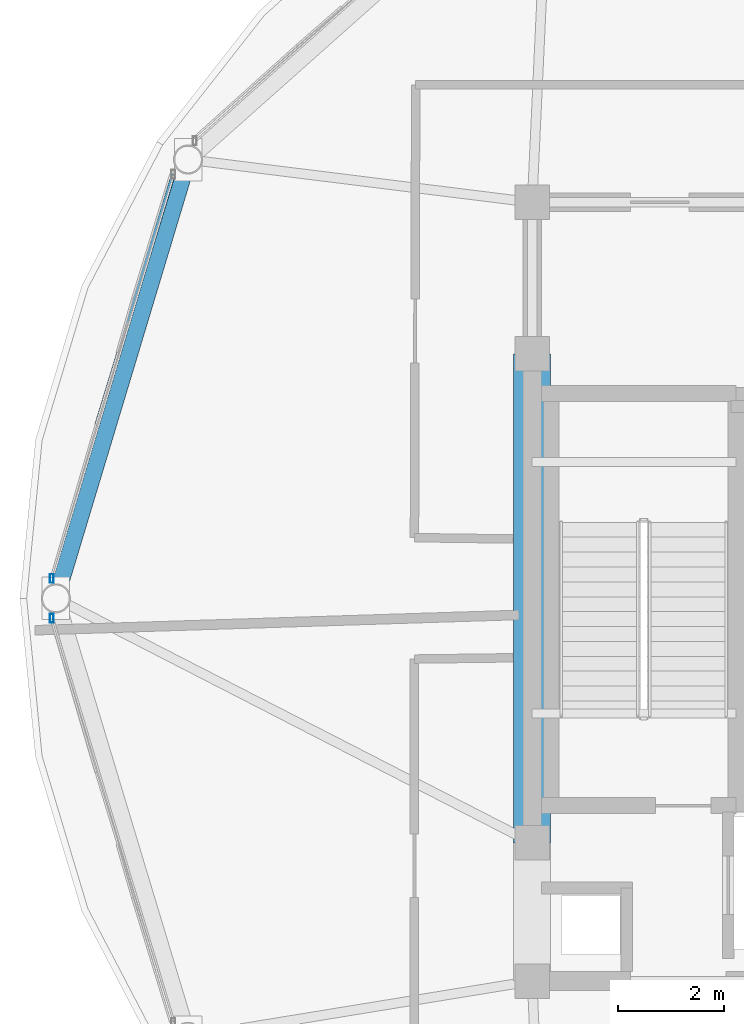
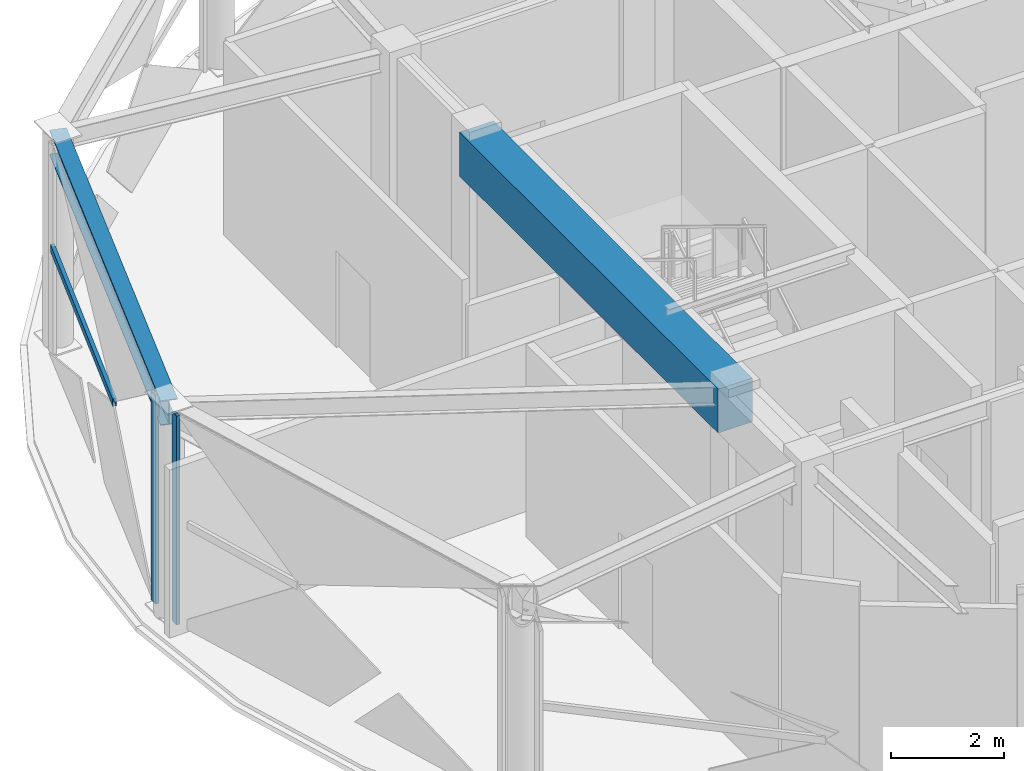
# One storey, part 7 of 22: 3 members, 2 beams, 2 elements without a shape of their own.
"""IFC4 building model written with IfcOpenShell, lengths in metres."""

import ifcopenshell
import ifcopenshell.guid

model = None  # the IFC model being written
_history = None  # IfcOwnerHistory: only IFC2X3 demands one
_inside = {}  # id of a spatial element -> (the spatial element, [elements in it])
_under = {}  # id of a project, library or spatial element -> (it, [spatial elements below it])
_declared = {}  # id of a project -> (the project, [libraries it declares])
_typed = {}  # id of a type object -> (the type object, [elements of that type])
_made_of = {}  # id of a material, layer set ... -> (it, [elements and type objects made of it])


def new_model(schema):
    """Start an empty IFC model of exactly this schema.

    Asked for "IFC4X3", IfcOpenShell would pick the latest addendum, in which some entities
    have other attributes; the version numbers below select the first issue.
    IFC2X3 requires an IfcOwnerHistory on every rooted entity: one is made here for all.
    """
    global model, _history
    if schema == "IFC4X3":
        model = ifcopenshell.file(schema_version=(4, 3, 0, 0))
    else:
        model = ifcopenshell.file(schema=schema)
    _inside.clear()
    _under.clear()
    _declared.clear()
    _typed.clear()
    _made_of.clear()
    _history = None
    if model.schema == "IFC2X3":
        org = make("IfcOrganization", Name="unknown")
        user = make(
            "IfcPersonAndOrganization",
            ThePerson=make("IfcPerson", FamilyName="unknown"),
            TheOrganization=org,
        )
        app = make(
            "IfcApplication",
            ApplicationDeveloper=org,
            Version="unknown",
            ApplicationFullName="unknown",
            ApplicationIdentifier="unknown",
        )
        _history = make(
            "IfcOwnerHistory",
            OwningUser=user,
            OwningApplication=app,
            ChangeAction="ADDED",
            CreationDate=0,
        )
    return model


def make(cls, **values):
    """One entity of the class cls with the attributes given. An attribute that is None is left unset."""
    return model.create_entity(
        cls, **{name: value for name, value in values.items() if value is not None}
    )


def rooted(cls, **values):
    """An entity with a GlobalId (a new one), such as an element, a storey or a relation."""
    return make(cls, GlobalId=ifcopenshell.guid.new(), OwnerHistory=_history, **values)


def si_unit(unit_type, name, prefix=None):
    """IfcSIUnit, for example si_unit("LENGTHUNIT", "METRE", prefix="MILLI")."""
    return make("IfcSIUnit", UnitType=unit_type, Prefix=prefix, Name=name)


def assignment(units):
    """IfcUnitAssignment: the units of a project."""
    return None if units is None else make("IfcUnitAssignment", Units=units)


def point(xyz):
    """IfcCartesianPoint."""
    return None if xyz is None else make("IfcCartesianPoint", Coordinates=xyz)


def direction(xyz):
    """IfcDirection."""
    return None if xyz is None else make("IfcDirection", DirectionRatios=xyz)


def frame(location, z_axis=None, x_axis=None):
    """IfcAxis2Placement3D, a coordinate frame: its origin and axes. An axis left out is left unset."""
    return make(
        "IfcAxis2Placement3D",
        Location=point(location),
        Axis=direction(z_axis),
        RefDirection=direction(x_axis),
    )


def frame_2d(location, x_axis=None):
    """IfcAxis2Placement2D, a coordinate frame in the plane: its origin and x axis."""
    return make(
        "IfcAxis2Placement2D", Location=point(location), RefDirection=direction(x_axis)
    )


def origin():
    """The frame at (0, 0, 0) with its axes left unset."""
    return frame((0.0, 0.0, 0.0))


def origin_2d():
    """The frame at (0, 0) in the plane with its x axis left unset."""
    return frame_2d((0.0, 0.0))


def place(relative_to, where):
    """IfcLocalPlacement: puts the frame where relative to a parent placement (None: the world)."""
    return make(
        "IfcLocalPlacement", PlacementRelTo=relative_to, RelativePlacement=where
    )


def context(
    kind, dimensions, precision=None, world=None, true_north=None, identifier=None
):
    """IfcGeometricRepresentationContext, for example the 3D "Model" context."""
    return make(
        "IfcGeometricRepresentationContext",
        ContextIdentifier=identifier,
        ContextType=kind,
        CoordinateSpaceDimension=dimensions,
        Precision=precision,
        WorldCoordinateSystem=world,
        TrueNorth=true_north,
    )


def subcontext(parent, identifier, kind, view, scale=None):
    """IfcGeometricRepresentationSubContext, for example "Body" below "Model"."""
    return make(
        "IfcGeometricRepresentationSubContext",
        ContextIdentifier=identifier,
        ContextType=kind,
        ParentContext=parent,
        TargetScale=scale,
        TargetView=view,
    )


def project(units=None, contexts=None):
    """IfcProject with its units and contexts."""
    return rooted(
        "IfcProject",
        Name="project",
        RepresentationContexts=contexts,
        UnitsInContext=assignment(units),
    )


def spatial(cls, under=None, at=None, **own):
    """A site, building, storey or space (cls), placed at a placement, below another one or the project."""
    s = rooted(cls, ObjectPlacement=at, **own)
    if under is not None:
        _under.setdefault(under.id(), (under, []))[1].append(s)
    return s


def profile(cls, at=None, kind="AREA", **sizes):
    """A parametric profile (cls). Its sizes go by their IFC names, for example OverallWidth=200.0."""
    return make(cls, ProfileType=kind, Position=at, **sizes)


def rectangle(**sizes):
    """IfcRectangleProfileDef."""
    return profile("IfcRectangleProfileDef", **sizes)


def hollow_rectangle(**sizes):
    """IfcRectangleHollowProfileDef."""
    return profile("IfcRectangleHollowProfileDef", **sizes)


def i_section(**sizes):
    """IfcIShapeProfileDef."""
    return profile("IfcIShapeProfileDef", **sizes)


def extrude(swept, where, along, depth):
    """IfcExtrudedAreaSolid: the profile swept, set in the frame where, extruded along a direction by depth."""
    return make(
        "IfcExtrudedAreaSolid",
        SweptArea=swept,
        Position=where,
        ExtrudedDirection=direction(along),
        Depth=depth,
    )


def shape(context_of_items, identifier, shape_type, items):
    """IfcShapeRepresentation: the items that make up one representation, for example the "Body"."""
    return make(
        "IfcShapeRepresentation",
        ContextOfItems=context_of_items,
        RepresentationIdentifier=identifier,
        RepresentationType=shape_type,
        Items=items,
    )


def material(Name=None, Category=None):
    """IfcMaterial."""
    return make("IfcMaterial", Name=Name, Category=Category)


def layer(
    of_material, thickness, ventilated=None, Name=None, Category=None, Priority=None
):
    """IfcMaterialLayer: one layer of a wall or slab, of a material (None: an air gap)."""
    return make(
        "IfcMaterialLayer",
        Material=of_material,
        LayerThickness=thickness,
        IsVentilated=ventilated,
        Name=Name,
        Category=Category,
        Priority=Priority,
    )


def layer_set(layers, Name=None):
    """IfcMaterialLayerSet."""
    return make("IfcMaterialLayerSet", MaterialLayers=layers, LayerSetName=Name)


def material_profile(
    of_material, cross_section, Name=None, Category=None, Priority=None
):
    """IfcMaterialProfile: a cross section and its material."""
    return make(
        "IfcMaterialProfile",
        Name=Name,
        Material=of_material,
        Profile=cross_section,
        Priority=Priority,
        Category=Category,
    )


def profile_set(profiles, Name=None, composite=None):
    """IfcMaterialProfileSet."""
    return make(
        "IfcMaterialProfileSet",
        Name=Name,
        MaterialProfiles=profiles,
        CompositeProfile=composite,
    )


def made_of(thing, what):
    """Note that an element or type object is made of a material, layer set ...; save() writes the relation."""
    if what is not None:
        _made_of.setdefault(what.id(), (what, []))[1].append(thing)
    return thing


def type_object(cls, material=None, **own):
    """A type object (cls), such as IfcWallType, which elements share."""
    return made_of(rooted(cls, **own), material)


def element(
    cls,
    number,
    at=None,
    inside=None,
    cuts=None,
    type_object=None,
    material=None,
    context=None,
    identifier="Body",
    shape_type=None,
    held_by="IfcProductDefinitionShape",
    body=None,
    shapes=None,
    **own,
):
    """One element of the class cls, such as IfcWall. Its Tag is "e" and its number.

    at: its placement. inside: the storey or other place that contains it. cuts: it is an
    opening in that element (IfcRelVoidsElement). A single representation is given by context,
    identifier, shape_type and body (its items); several are given by shapes. held_by: the class
    of the entity that holds the representations. save() writes the other relations.
    """
    e = rooted(cls, Tag="e%d" % number, ObjectPlacement=at, **own)
    if body is not None:
        shapes = [shape(context, identifier, shape_type, body)]
    if shapes is not None:
        e.Representation = make(held_by, Representations=shapes)
    if inside is not None:
        _inside.setdefault(inside.id(), (inside, []))[1].append(e)
    if cuts is not None:
        rooted(
            "IfcRelVoidsElement", RelatingBuildingElement=cuts, RelatedOpeningElement=e
        )
    if type_object is not None:
        _typed.setdefault(type_object.id(), (type_object, []))[1].append(e)
    return made_of(e, material)


def aggregate(whole, parts):
    """IfcRelAggregates: a whole, such as a stair, and the parts it consists of."""
    return rooted("IfcRelAggregates", RelatingObject=whole, RelatedObjects=parts)


def save(model, path):
    """Write the relations noted so far, then the file.

    IfcRelAggregates (storeys below a building ...), IfcRelContainedInSpatialStructure (elements
    in a storey), IfcRelDefinesByType, IfcRelAssociatesMaterial and IfcRelDeclares: one each for
    every whole, place, type object, material and project.
    """
    for whole, parts in _under.values():
        aggregate(whole, parts)
    for where, things in _inside.values():
        rooted(
            "IfcRelContainedInSpatialStructure",
            RelatedElements=things,
            RelatingStructure=where,
        )
    for kind, things in _typed.values():
        rooted("IfcRelDefinesByType", RelatedObjects=things, RelatingType=kind)
    for what, things in _made_of.values():
        rooted("IfcRelAssociatesMaterial", RelatedObjects=things, RelatingMaterial=what)
    for by, libraries in _declared.values():
        rooted("IfcRelDeclares", RelatingContext=by, RelatedDefinitions=libraries)
    model.write(path)


model = new_model("IFC4")

# Units and contexts
model_context = context("Model", 3, precision=1e-05, world=origin(), true_north=direction((0.0, 1.0)))
body_context = subcontext(model_context, "Body", "Model", "MODEL_VIEW")
ifc_project = project(units=[si_unit("LENGTHUNIT", "METRE"), si_unit("AREAUNIT", "SQUARE_METRE"), si_unit("VOLUMEUNIT", "CUBIC_METRE"), si_unit("PLANEANGLEUNIT", "RADIAN"), si_unit("MASSUNIT", "GRAM", prefix="KILO")], contexts=[model_context])

# Site, building, storey
site_placement = place(None, origin())
site = spatial("IfcSite", under=ifc_project, at=site_placement, CompositionType="ELEMENT")
building_placement = place(site_placement, origin())
building = spatial("IfcBuilding", under=site, at=building_placement, Name="Vantalir Tower", CompositionType="ELEMENT")
storey_placement = place(building_placement, frame((0.0, 0.0, 294.89990234375)))
storey = spatial("IfcBuildingStorey", under=building, at=storey_placement, Name="L74", CompositionType="ELEMENT", Elevation=294.89990234375)

# Beams
ifc_material_1 = material(Name="Concrete C60/75", Category="concrete")
ifc_material_profile_1 = material_profile(ifc_material_1, rectangle(XDim=0.699951171875, YDim=0.949951171875, at=origin_2d()), Name="Concrete C60/75")
ifc_profile_set_1 = profile_set([ifc_material_profile_1], Name="Concrete C60/75")
beam_type_1 = type_object("IfcBeamType", Name="BM-CB-700x950", PredefinedType="USERDEFINED", material=ifc_profile_set_1)
beam_1_placement = place(storey_placement, frame((21.89990234375, 29.60009765625, 4.14501953125), z_axis=(0.0, -1.0, 0.0), x_axis=(1.0, 0.0, 0.0)))
element("IfcBeam", 1, at=beam_1_placement, inside=storey, type_object=beam_type_1, Name="L74 Core Coupling Girder 13", ObjectType="GIRDER", PredefinedType="USERDEFINED", context=body_context, shape_type="SweptSolid", body=[
    extrude(rectangle(XDim=0.699951171875, YDim=0.949951171875, at=origin_2d()), origin(), (0.0, 0.0, 1.0), 9.2001953125),
])
ifc_material_2 = material(Name="Steel S460", Category="steel")
ifc_material_profile_2 = material_profile(ifc_material_2, i_section(OverallWidth=0.31201171875, OverallDepth=0.5419921875, WebThickness=0.0126953125, FlangeThickness=0.020263671875, at=origin_2d()), Name="Steel S460")
ifc_profile_set_2 = profile_set([ifc_material_profile_2], Name="Steel S460")
beam_type_2 = type_object("IfcBeamType", Name="BM-RG-533x312", PredefinedType="USERDEFINED", material=ifc_profile_set_2)
beam_2_placement = place(storey_placement, frame((15.427001953125, 33.256103515625, 4.34912109375), z_axis=(-0.288436105836, -0.957499145091, 0.0), x_axis=(0.957499145091, -0.288436105836, 0.0)))
element("IfcBeam", 2, at=beam_2_placement, inside=storey, type_object=beam_type_2, Name="L74 Circumferential Ring Girder 06", ObjectType="GIRDER", PredefinedType="USERDEFINED", context=body_context, shape_type="SweptSolid", body=[
    extrude(i_section(OverallWidth=0.31201171875, OverallDepth=0.5419921875, WebThickness=0.0126953125, FlangeThickness=0.020263671875, at=origin_2d()), origin(), (0.0, 0.0, 1.0), 8.62255859375),
])

# Curtain wall, member
ifc_material_3 = material(Name="Champagne-silver PVDF aluminium and double-silver Low-E glass", Category="aluminium")
ifc_layer = layer(ifc_material_3, 0.219970703125)
ifc_layer_set = layer_set([ifc_layer], Name="Champagne-silver PVDF aluminium and double-silver Low-E glass")
curtain_wall_type = type_object("IfcCurtainWallType", Name="CW-DIAMOND-Z4", PredefinedType="USERDEFINED", material=ifc_layer_set)
curtain_wall_1_placement = place(storey_placement, origin())
curtain_wall_1 = element("IfcCurtainWall", 3, at=curtain_wall_1_placement, inside=storey, type_object=curtain_wall_type, Name="L74 Quilted Pyramid-Diamond Curtain Wall S06", ObjectType="UNITISED CURTAIN WALL", PredefinedType="USERDEFINED")
ifc_material_4 = material(Name="Champagne-silver PVDF aluminium 6063-T6", Category="aluminium")
ifc_material_profile_3 = material_profile(ifc_material_4, hollow_rectangle(XDim=0.070068359375, YDim=0.1650390625, WallThickness=0.00390625, at=origin_2d()), Name="Champagne-silver PVDF aluminium 6063-T6")
ifc_profile_set_3 = profile_set([ifc_material_profile_3], Name="Champagne-silver PVDF aluminium 6063-T6")
member_type_1 = type_object("IfcMemberType", Name="CWM-165x70", PredefinedType="MULLION", material=ifc_profile_set_3)
member_1_placement = place(storey_placement, frame((12.862060546875, 25.373046875, 0.045166015625), z_axis=(0.0, 0.0, 1.0), x_axis=(1.0, 0.0, 0.0)))
member_1 = element("IfcMember", 4, at=member_1_placement, type_object=member_type_1, Name="CW-L74-S06 Mullion 2", PredefinedType="MULLION", context=body_context, shape_type="SweptSolid", body=[
    extrude(hollow_rectangle(XDim=0.070068359375, YDim=0.1650390625, WallThickness=0.00390625, at=origin_2d()), origin(), (0.0, 0.0, 1.0), 4.530029296875),
])

curtain_wall_2_placement = place(storey_placement, origin())
curtain_wall_2 = element("IfcCurtainWall", 5, at=curtain_wall_2_placement, inside=storey, type_object=curtain_wall_type, Name="L74 Quilted Pyramid-Diamond Curtain Wall S07", ObjectType="UNITISED CURTAIN WALL", PredefinedType="USERDEFINED")
member_2_placement = place(storey_placement, frame((12.862060546875, 24.626953125, 0.045166015625), z_axis=(0.0, 0.0, 1.0), x_axis=(1.0, 0.0, 0.0)))
member_2 = element("IfcMember", 6, at=member_2_placement, type_object=member_type_1, Name="CW-L74-S07 Mullion 1", PredefinedType="MULLION", context=body_context, shape_type="SweptSolid", body=[
    extrude(hollow_rectangle(XDim=0.070068359375, YDim=0.1650390625, WallThickness=0.00390625, at=origin_2d()), origin(), (0.0, 0.0, 1.0), 4.530029296875),
])
aggregate(curtain_wall_2, [member_2])

# Member
ifc_material_profile_4 = material_profile(ifc_material_4, hollow_rectangle(XDim=0.074951171875, YDim=0.159912109375, WallThickness=0.00390625, at=origin_2d()), Name="Champagne-silver PVDF aluminium 6063-T6")
ifc_profile_set_4 = profile_set([ifc_material_profile_4], Name="Champagne-silver PVDF aluminium 6063-T6")
member_type_2 = type_object("IfcMemberType", Name="CWT-160x75", PredefinedType="USERDEFINED", material=ifc_profile_set_4)
member_3_placement = place(storey_placement, frame((15.14990234375, 32.97802734375, 2.31005859375), z_axis=(-0.292671736795, -0.956212975483, 0.0), x_axis=(0.956212975483, -0.292671736795, 0.0)))
member_3 = element("IfcMember", 7, at=member_3_placement, type_object=member_type_2, Name="CW-L74-S06 Pyramid Fold Ridge Transom", ObjectType="TRANSOM", PredefinedType="USERDEFINED", context=body_context, shape_type="SweptSolid", body=[
    extrude(hollow_rectangle(XDim=0.074951171875, YDim=0.159912109375, WallThickness=0.00390625, at=origin_2d()), origin(), (0.0, 0.0, 1.0), 4.9267578125),
])

aggregate(curtain_wall_1, [member_1, member_3])

save(model, "model.ifc")
